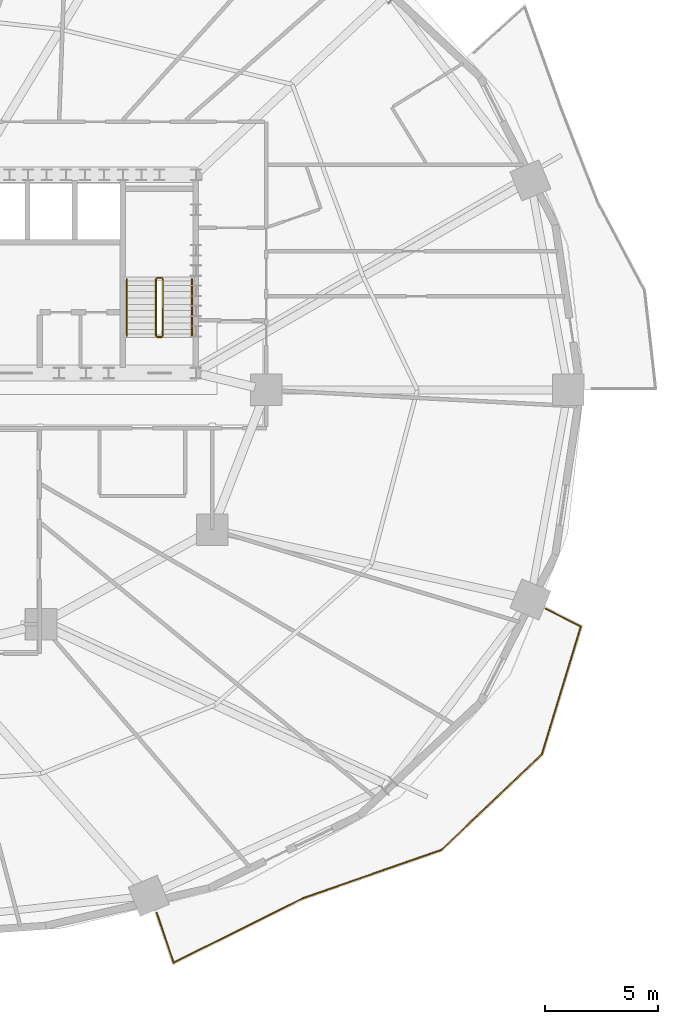
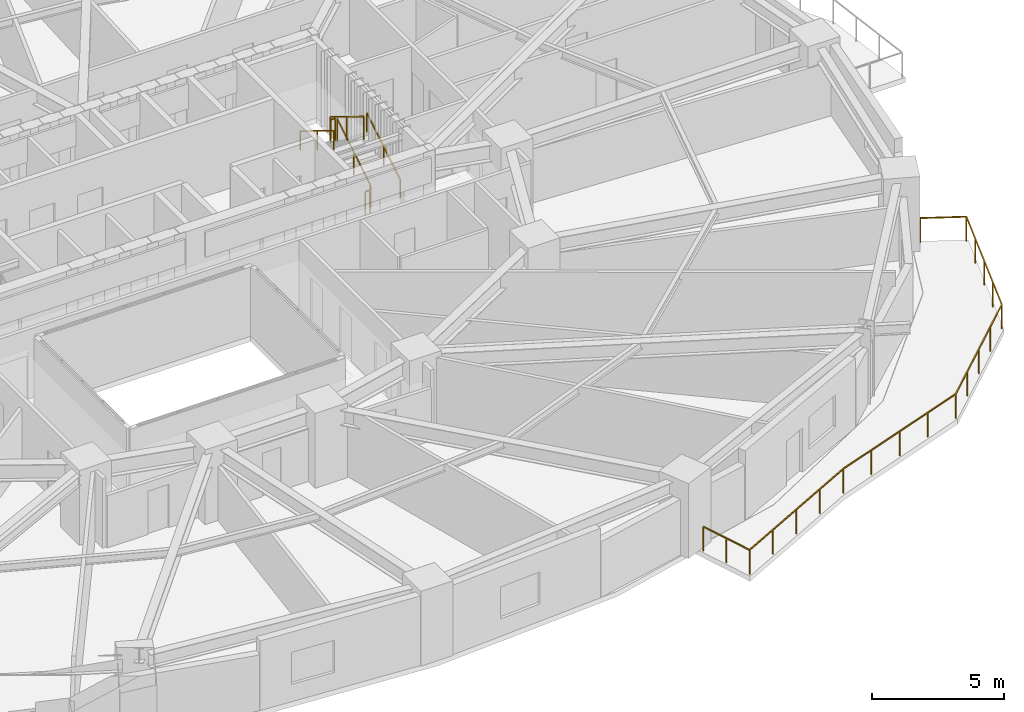
# One storey, part 16 of 17: 7 railings.
"""IFC4 building model written with IfcOpenShell, lengths in metres."""

from ifc_helpers import new_model, si_unit, direction, frame, origin, origin_2d, place, context, subcontext, project, spatial, rectangle, extrude, material, type_object, element, save


model = new_model("IFC4")

# Units and contexts
model_context = context("Model", 3, precision=1e-05, world=origin(), true_north=direction((0.0, 1.0)))
body_context = subcontext(model_context, "Body", "Model", "MODEL_VIEW")
ifc_project = project(units=[si_unit("LENGTHUNIT", "METRE"), si_unit("AREAUNIT", "SQUARE_METRE"), si_unit("VOLUMEUNIT", "CUBIC_METRE"), si_unit("PLANEANGLEUNIT", "RADIAN"), si_unit("MASSUNIT", "GRAM", prefix="KILO")], contexts=[model_context])

# Site, building, storey
site_placement = place(None, origin())
site = spatial("IfcSite", under=ifc_project, at=site_placement, CompositionType="ELEMENT")
building_placement = place(site_placement, origin())
building = spatial("IfcBuilding", under=site, at=building_placement, Name="Haldorwick Loom Tower", CompositionType="ELEMENT")
storey_placement = place(building_placement, frame((0.0, 0.0, 44.699951171875)))
storey = spatial("IfcBuildingStorey", under=building, at=storey_placement, Name="L11", CompositionType="ELEMENT", Elevation=44.699951171875)

# Railings
ifc_material_1 = material(Name="Galvanized Steel CSA G40.21 350W", Category="steel")
railing_type_1 = type_object("IfcRailingType", Name="ARC-RLG-BAL115", PredefinedType="BALUSTRADE", material=ifc_material_1)
railing_1_placement = place(storey_placement, frame((65.593994140625, 16.29150390625, 0.0)))
element("IfcRailing", 1, at=railing_1_placement, inside=storey, type_object=railing_type_1, Name="L11 Outdoor Terrace Guardrail SLB-L11-BAL_SE-1", PredefinedType="BALUSTRADE", context=body_context, shape_type="SweptSolid", body=[
    extrude(rectangle(XDim=0.048095703125, YDim=0.048095703125, at=origin_2d()), frame((0.0, 0.0, 1.1259765625), z_axis=(0.891307713143, -0.453398897761, 0.0), x_axis=(0.453398897761, 0.891307713143, 0.0)), (0.0, 0.0, 1.0), 1.74951171875),
    extrude(rectangle(XDim=0.048095703125, YDim=0.048095703125, at=origin_2d()), frame((1.559326171875, -0.793212890625, 1.1259765625), z_axis=(-0.292158928936, -0.956369782167, 0.0), x_axis=(0.956369782167, -0.292158928936, 0.0)), (0.0, 0.0, 1.0), 5.931396484375),
    extrude(rectangle(XDim=0.048095703125, YDim=0.048095703125, at=origin_2d()), frame((-0.173583984375, -6.4658203125, 1.1259765625), z_axis=(-0.724642252261, -0.689125247134, 0.0), x_axis=(0.689125247134, -0.724642252261, 0.0)), (0.0, 0.0, 1.0), 6.145263671875),
    extrude(rectangle(XDim=0.048095703125, YDim=0.048095703125, at=origin_2d()), frame((-4.626708984375, -10.70068359375, 1.1259765625), z_axis=(-0.944070435486, -0.329743859444, 0.0), x_axis=(0.329743859444, -0.944070435486, 0.0)), (0.0, 0.0, 1.0), 6.5087890625),
    extrude(rectangle(XDim=0.048095703125, YDim=0.048095703125, at=origin_2d()), frame((-10.771484375, -12.846923828125, 1.1259765625), z_axis=(-0.925168618375, -0.379556356256, 0.0), x_axis=(0.379556356256, -0.925168618375, 0.0)), (0.0, 0.0, 1.0), 0.01025390625),
    extrude(rectangle(XDim=0.048095703125, YDim=0.048095703125, at=origin_2d()), frame((-10.781005859375, -12.850830078125, 1.1259765625), z_axis=(-0.895074166338, -0.445917298112, 0.0), x_axis=(0.445917298112, -0.895074166338, 0.0)), (0.0, 0.0, 1.0), 6.40576171875),
    extrude(rectangle(XDim=0.048095703125, YDim=0.048095703125, at=origin_2d()), frame((-16.5146484375, -15.707275390625, 1.1259765625), z_axis=(-0.318648041884, 0.947873106171, 0.0), x_axis=(-0.947873106171, -0.318648041884, 0.0)), (0.0, 0.0, 1.0), 2.3291015625),
    extrude(rectangle(XDim=0.0419921875, YDim=0.0419921875, at=origin_2d()), origin(), (0.0, 0.0, 1.0), 1.101806640625),
    extrude(rectangle(XDim=0.0419921875, YDim=0.0419921875, at=origin_2d()), frame((1.559326171875, -0.793212890625, 0.0)), (0.0, 0.0, 1.0), 1.101806640625),
    extrude(rectangle(XDim=0.0419921875, YDim=0.0419921875, at=origin_2d()), frame((1.1259765625, -2.21142578125, 0.0)), (0.0, 0.0, 1.0), 1.101806640625),
    extrude(rectangle(XDim=0.0419921875, YDim=0.0419921875, at=origin_2d()), frame((0.69287109375, -3.62939453125, 0.0)), (0.0, 0.0, 1.0), 1.101806640625),
    extrude(rectangle(XDim=0.0419921875, YDim=0.0419921875, at=origin_2d()), frame((0.259765625, -5.047607421875, 0.0)), (0.0, 0.0, 1.0), 1.101806640625),
    extrude(rectangle(XDim=0.0419921875, YDim=0.0419921875, at=origin_2d()), frame((-0.173583984375, -6.4658203125, 0.0)), (0.0, 0.0, 1.0), 1.101806640625),
    extrude(rectangle(XDim=0.0419921875, YDim=0.0419921875, at=origin_2d()), frame((-1.286865234375, -7.5244140625, 0.0)), (0.0, 0.0, 1.0), 1.101806640625),
    extrude(rectangle(XDim=0.0419921875, YDim=0.0419921875, at=origin_2d()), frame((-2.400146484375, -8.583251953125, 0.0)), (0.0, 0.0, 1.0), 1.101806640625),
    extrude(rectangle(XDim=0.0419921875, YDim=0.0419921875, at=origin_2d()), frame((-3.513427734375, -9.64208984375, 0.0)), (0.0, 0.0, 1.0), 1.101806640625),
    extrude(rectangle(XDim=0.0419921875, YDim=0.0419921875, at=origin_2d()), frame((-4.626708984375, -10.70068359375, 0.0)), (0.0, 0.0, 1.0), 1.101806640625),
    extrude(rectangle(XDim=0.0419921875, YDim=0.0419921875, at=origin_2d()), frame((-6.162841796875, -11.2373046875, 0.0)), (0.0, 0.0, 1.0), 1.101806640625),
    extrude(rectangle(XDim=0.0419921875, YDim=0.0419921875, at=origin_2d()), frame((-7.69921875, -11.77392578125, 0.0)), (0.0, 0.0, 1.0), 1.101806640625),
    extrude(rectangle(XDim=0.0419921875, YDim=0.0419921875, at=origin_2d()), frame((-9.2353515625, -12.310302734375, 0.0)), (0.0, 0.0, 1.0), 1.101806640625),
    extrude(rectangle(XDim=0.0419921875, YDim=0.0419921875, at=origin_2d()), frame((-10.771484375, -12.846923828125, 0.0)), (0.0, 0.0, 1.0), 1.101806640625),
    extrude(rectangle(XDim=0.0419921875, YDim=0.0419921875, at=origin_2d()), frame((-12.21435546875, -13.56494140625, 0.0)), (0.0, 0.0, 1.0), 1.101806640625),
    extrude(rectangle(XDim=0.0419921875, YDim=0.0419921875, at=origin_2d()), frame((-13.64794921875, -14.279052734375, 0.0)), (0.0, 0.0, 1.0), 1.101806640625),
    extrude(rectangle(XDim=0.0419921875, YDim=0.0419921875, at=origin_2d()), frame((-15.081298828125, -14.9931640625, 0.0)), (0.0, 0.0, 1.0), 1.101806640625),
    extrude(rectangle(XDim=0.0419921875, YDim=0.0419921875, at=origin_2d()), frame((-16.5146484375, -15.707275390625, 0.0)), (0.0, 0.0, 1.0), 1.101806640625),
    extrude(rectangle(XDim=0.0419921875, YDim=0.0419921875, at=origin_2d()), frame((-16.8857421875, -14.603515625, 0.0)), (0.0, 0.0, 1.0), 1.101806640625),
    extrude(rectangle(XDim=0.0419921875, YDim=0.0419921875, at=origin_2d()), frame((-17.2568359375, -13.49951171875, 0.0)), (0.0, 0.0, 1.0), 1.101806640625),
])
ifc_material_2 = material(Name="Steel CSA G40.21 350W", Category="steel")
railing_type_2 = type_object("IfcRailingType", Name="ARC-RLG-GUARD112", PredefinedType="GUARDRAIL", material=ifc_material_2)
railing_2_placement = place(storey_placement, frame((48.60009765625, 28.39990234375, 0.172607421875)))
element("IfcRailing", 2, at=railing_2_placement, inside=storey, type_object=railing_type_2, Name="L11 ST-02 stair guard 1", PredefinedType="GUARDRAIL", context=body_context, shape_type="SweptSolid", body=[
    extrude(rectangle(XDim=0.048095703125, YDim=0.048095703125, at=origin_2d()), frame((0.0, 0.0, 1.076171875), z_axis=(0.0, 0.851400495292, 0.524516154772), x_axis=(-1.0, 0.0, 0.0)), (0.0, 0.0, 1.0), 2.9599609375),
    extrude(rectangle(XDim=0.0419921875, YDim=0.0419921875, at=origin_2d()), origin(), (0.0, 0.0, 1.0), 1.052001953125),
    extrude(rectangle(XDim=0.0419921875, YDim=0.0419921875, at=origin_2d()), frame((0.0, 1.260009765625, 0.7763671875)), (0.0, 0.0, 1.0), 1.052001953125),
    extrude(rectangle(XDim=0.0419921875, YDim=0.0419921875, at=origin_2d()), frame((0.0, 2.52001953125, 1.552490234375)), (0.0, 0.0, 1.0), 1.052001953125),
])
railing_3_placement = place(storey_placement, frame((48.550048828125, 30.969970703125, 1.72509765625)))
element("IfcRailing", 3, at=railing_3_placement, inside=storey, type_object=railing_type_2, Name="L11 ST-02 stair guard 2", PredefinedType="GUARDRAIL", context=body_context, shape_type="SweptSolid", body=[
    extrude(rectangle(XDim=0.048095703125, YDim=0.048095703125, at=origin_2d()), frame((0.0, 0.0, 1.076171875), z_axis=(-1.0, 0.0, 0.0), x_axis=(0.0, -1.0, 0.0)), (0.0, 0.0, 1.0), 0.199951171875),
    extrude(rectangle(XDim=0.0419921875, YDim=0.0419921875, at=origin_2d()), origin(), (0.0, 0.0, 1.0), 1.052001953125),
    extrude(rectangle(XDim=0.0419921875, YDim=0.0419921875, at=origin_2d()), frame((-0.199951171875, 0.0, 0.0)), (0.0, 0.0, 1.0), 1.052001953125),
])
railing_4_placement = place(storey_placement, frame((48.300048828125, 30.919921875, 1.8974609375)))
element("IfcRailing", 4, at=railing_4_placement, inside=storey, type_object=railing_type_2, Name="L11 ST-02 stair guard 3", PredefinedType="GUARDRAIL", context=body_context, shape_type="SweptSolid", body=[
    extrude(rectangle(XDim=0.048095703125, YDim=0.048095703125, at=origin_2d()), frame((0.0, 0.0, 1.076171875), z_axis=(0.0, -0.851400495292, 0.524516154772), x_axis=(1.0, 0.0, 0.0)), (0.0, 0.0, 1.0), 2.9599609375),
    extrude(rectangle(XDim=0.0419921875, YDim=0.0419921875, at=origin_2d()), origin(), (0.0, 0.0, 1.0), 1.052001953125),
    extrude(rectangle(XDim=0.0419921875, YDim=0.0419921875, at=origin_2d()), frame((0.0, -1.260009765625, 0.7763671875)), (0.0, 0.0, 1.0), 1.052001953125),
    extrude(rectangle(XDim=0.0419921875, YDim=0.0419921875, at=origin_2d()), frame((0.0, -2.52001953125, 1.552490234375)), (0.0, 0.0, 1.0), 1.052001953125),
])
railing_5_placement = place(storey_placement, frame((48.550048828125, 28.35009765625, 0.0)))
element("IfcRailing", 5, at=railing_5_placement, inside=storey, type_object=railing_type_2, Name="L11 ST-02 stair guard 4", PredefinedType="GUARDRAIL", context=body_context, shape_type="SweptSolid", body=[
    extrude(rectangle(XDim=0.048095703125, YDim=0.048095703125, at=origin_2d()), frame((0.0, 0.0, 1.076171875), z_axis=(-1.0, 0.0, 0.0), x_axis=(0.0, -1.0, 0.0)), (0.0, 0.0, 1.0), 0.199951171875),
    extrude(rectangle(XDim=0.0419921875, YDim=0.0419921875, at=origin_2d()), origin(), (0.0, 0.0, 1.0), 1.052001953125),
    extrude(rectangle(XDim=0.0419921875, YDim=0.0419921875, at=origin_2d()), frame((-0.199951171875, 0.0, 0.0)), (0.0, 0.0, 1.0), 1.052001953125),
])
railing_type_3 = type_object("IfcRailingType", Name="ARC-RLG-HAND092", PredefinedType="HANDRAIL", material=ifc_material_2)
railing_6_placement = place(storey_placement, frame((49.89990234375, 28.39990234375, 0.172607421875)))
element("IfcRailing", 6, at=railing_6_placement, inside=storey, type_object=railing_type_3, Name="L11 ST-02 stair handrail 1", PredefinedType="HANDRAIL", context=body_context, shape_type="SweptSolid", body=[
    extrude(rectangle(XDim=0.048095703125, YDim=0.048095703125, at=origin_2d()), frame((0.0, 0.0, 0.8759765625), z_axis=(0.0, 0.851400495292, 0.524516154772), x_axis=(-1.0, 0.0, 0.0)), (0.0, 0.0, 1.0), 2.9599609375),
    extrude(rectangle(XDim=0.0419921875, YDim=0.0419921875, at=origin_2d()), origin(), (0.0, 0.0, 1.0), 0.851806640625),
    extrude(rectangle(XDim=0.0419921875, YDim=0.0419921875, at=origin_2d()), frame((0.0, 1.260009765625, 0.7763671875)), (0.0, 0.0, 1.0), 0.851806640625),
    extrude(rectangle(XDim=0.0419921875, YDim=0.0419921875, at=origin_2d()), frame((0.0, 2.52001953125, 1.552490234375)), (0.0, 0.0, 1.0), 0.851806640625),
])
railing_7_placement = place(storey_placement, frame((47.0, 30.919921875, 1.8974609375)))
element("IfcRailing", 7, at=railing_7_placement, inside=storey, type_object=railing_type_3, Name="L11 ST-02 stair handrail 2", PredefinedType="HANDRAIL", context=body_context, shape_type="SweptSolid", body=[
    extrude(rectangle(XDim=0.048095703125, YDim=0.048095703125, at=origin_2d()), frame((0.0, 0.0, 0.8759765625), z_axis=(0.0, -0.851400495292, 0.524516154772), x_axis=(1.0, 0.0, 0.0)), (0.0, 0.0, 1.0), 2.9599609375),
    extrude(rectangle(XDim=0.0419921875, YDim=0.0419921875, at=origin_2d()), origin(), (0.0, 0.0, 1.0), 0.851806640625),
    extrude(rectangle(XDim=0.0419921875, YDim=0.0419921875, at=origin_2d()), frame((0.0, -1.260009765625, 0.7763671875)), (0.0, 0.0, 1.0), 0.851806640625),
    extrude(rectangle(XDim=0.0419921875, YDim=0.0419921875, at=origin_2d()), frame((0.0, -2.52001953125, 1.552490234375)), (0.0, 0.0, 1.0), 0.851806640625),
])

save(model, "model.ifc")
